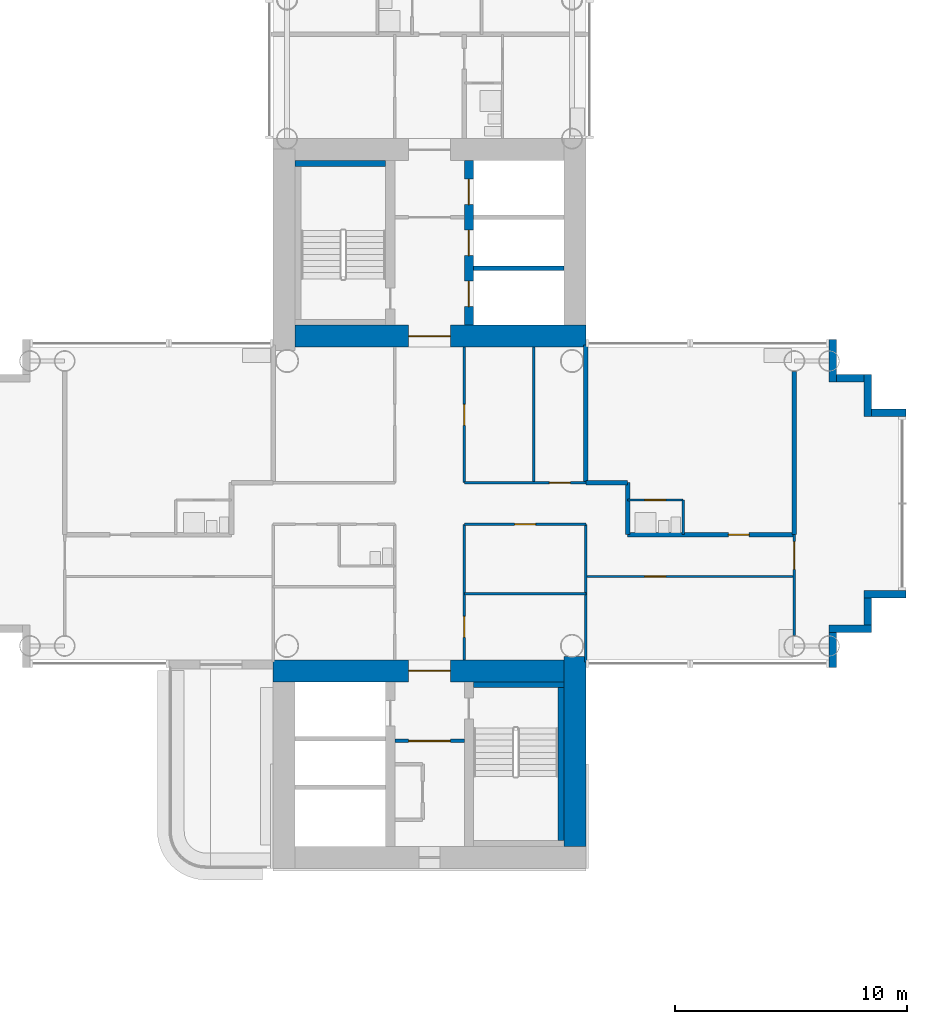
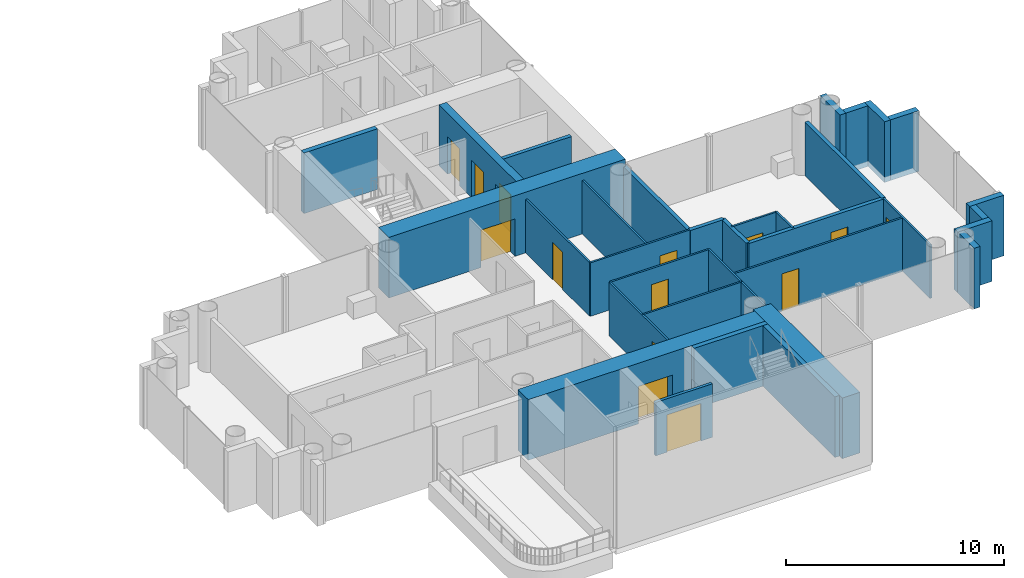
# One storey, part 13 of 21: 33 walls, 14 doors, 14 openings.
"""IFC4 building model written with IfcOpenShell, lengths in metres."""

from ifc_helpers import new_model, si_unit, direction, frame, frame_2d, origin, place, context, subcontext, project, spatial, rectangle, extrude, material, layer, layer_set, type_object, element, fill, save


model = new_model("IFC4")

# Units and contexts
model_context = context("Model", 3, precision=1e-05, world=origin(), true_north=direction((0.0, 1.0)))
body_context = subcontext(model_context, "Body", "Model", "MODEL_VIEW")
ifc_project = project(units=[si_unit("LENGTHUNIT", "METRE"), si_unit("AREAUNIT", "SQUARE_METRE"), si_unit("VOLUMEUNIT", "CUBIC_METRE"), si_unit("PLANEANGLEUNIT", "RADIAN"), si_unit("MASSUNIT", "GRAM", prefix="KILO")], contexts=[model_context])

# Site, building, storey
site_placement = place(None, origin())
site = spatial("IfcSite", under=ifc_project, at=site_placement, CompositionType="ELEMENT")
building_placement = place(site_placement, origin())
building = spatial("IfcBuilding", under=site, at=building_placement, Name="Ipe Terrace Towers", CompositionType="ELEMENT")
storey_placement = place(building_placement, frame((0.0, 0.0, 83.39990234375)))
storey = spatial("IfcBuildingStorey", under=building, at=storey_placement, Name="L22", CompositionType="ELEMENT", Elevation=83.39990234375)

# Walls
ifc_material_1 = material(Name="Concrete C40/50 with buff precast cladding", Category="concrete")
ifc_layer_1 = layer(ifc_material_1, 0.320068359375)
ifc_layer_set_1 = layer_set([ifc_layer_1], Name="BUFF CLADDING WALL 320")
wall_type_1 = type_object("IfcWallType", Name="BUFF CLADDING WALL 320", PredefinedType="STANDARD", material=ifc_layer_set_1)
wall_1_placement = place(storey_placement, frame((53.409912109375, -7.070068359375, -0.2998046875), z_axis=(0.0, 0.0, 1.0), x_axis=(0.0, 1.0, 0.0)))
element("IfcWall", 1, at=wall_1_placement, inside=storey, type_object=wall_type_1, Name="T2-W-L22-04a wall", PredefinedType="STANDARD", context=body_context, shape_type="SweptSolid", body=[
    extrude(rectangle(XDim=1.5, YDim=0.320068359375, at=frame_2d((0.75, 0.0))), origin(), (0.0, 0.0, 1.0), 3.39990234375),
])
wall_2_placement = place(storey_placement, frame((53.25, -5.409912109375, -0.2998046875), z_axis=(0.0, 0.0, 1.0), x_axis=(1.0, 0.0, 0.0)))
element("IfcWall", 2, at=wall_2_placement, inside=storey, type_object=wall_type_1, Name="T2-W-L22-05a wall", PredefinedType="STANDARD", context=body_context, shape_type="SweptSolid", body=[
    extrude(rectangle(XDim=1.820068359375, YDim=0.320068359375, at=frame_2d((0.91015625, 0.0))), origin(), (0.0, 0.0, 1.0), 3.39990234375),
])
wall_3_placement = place(storey_placement, frame((54.909912109375, -5.25, -0.2998046875), z_axis=(0.0, 0.0, 1.0), x_axis=(0.0, 1.0, 0.0)))
element("IfcWall", 3, at=wall_3_placement, inside=storey, type_object=wall_type_1, Name="T2-W-L22-06a wall", PredefinedType="STANDARD", context=body_context, shape_type="SweptSolid", body=[
    extrude(rectangle(XDim=1.179931640625, YDim=0.320068359375, at=frame_2d((0.58984375, 0.0))), origin(), (0.0, 0.0, 1.0), 3.39990234375),
])
wall_4_placement = place(storey_placement, frame((54.75, -3.909912109375, -0.2998046875), z_axis=(0.0, 0.0, 1.0), x_axis=(1.0, 0.0, 0.0)))
element("IfcWall", 4, at=wall_4_placement, inside=storey, type_object=wall_type_1, Name="T2-W-L22-07a wall", PredefinedType="STANDARD", context=body_context, shape_type="SweptSolid", body=[
    extrude(rectangle(XDim=1.820068359375, YDim=0.320068359375, at=frame_2d((0.91015625, 0.0))), origin(), (0.0, 0.0, 1.0), 3.39990234375),
])
wall_5_placement = place(storey_placement, frame((56.570068359375, 3.909912109375, -0.2998046875), z_axis=(0.0, 0.0, 1.0), x_axis=(-1.0, 0.0, 0.0)))
element("IfcWall", 5, at=wall_5_placement, inside=storey, type_object=wall_type_1, Name="T2-W-L22-09a wall", PredefinedType="STANDARD", context=body_context, shape_type="SweptSolid", body=[
    extrude(rectangle(XDim=1.5, YDim=0.320068359375, at=frame_2d((0.75, 0.0))), origin(), (0.0, 0.0, 1.0), 3.39990234375),
])
wall_6_placement = place(storey_placement, frame((54.909912109375, 3.75, -0.2998046875), z_axis=(0.0, 0.0, 1.0), x_axis=(0.0, 1.0, 0.0)))
element("IfcWall", 6, at=wall_6_placement, inside=storey, type_object=wall_type_1, Name="T2-W-L22-10a wall", PredefinedType="STANDARD", context=body_context, shape_type="SweptSolid", body=[
    extrude(rectangle(XDim=1.820068359375, YDim=0.320068359375, at=frame_2d((0.91015625, 0.0))), origin(), (0.0, 0.0, 1.0), 3.39990234375),
])
wall_7_placement = place(storey_placement, frame((54.75, 5.409912109375, -0.2998046875), z_axis=(0.0, 0.0, 1.0), x_axis=(-1.0, 0.0, 0.0)))
element("IfcWall", 7, at=wall_7_placement, inside=storey, type_object=wall_type_1, Name="T2-W-L22-11a wall", PredefinedType="STANDARD", context=body_context, shape_type="SweptSolid", body=[
    extrude(rectangle(XDim=1.179931640625, YDim=0.320068359375, at=frame_2d((0.58984375, 0.0))), origin(), (0.0, 0.0, 1.0), 3.39990234375),
])
wall_8_placement = place(storey_placement, frame((53.409912109375, 5.25, -0.2998046875), z_axis=(0.0, 0.0, 1.0), x_axis=(0.0, 1.0, 0.0)))
element("IfcWall", 8, at=wall_8_placement, inside=storey, type_object=wall_type_1, Name="T2-W-L22-12a wall", PredefinedType="STANDARD", context=body_context, shape_type="SweptSolid", body=[
    extrude(rectangle(XDim=1.820068359375, YDim=0.320068359375, at=frame_2d((0.91015625, 0.0))), origin(), (0.0, 0.0, 1.0), 3.39990234375),
])
ifc_material_2 = material(Name="Gypsum board partition", Category="plasterboard")
ifc_layer_2 = layer(ifc_material_2, 0.10009765625)
ifc_layer_set_2 = layer_set([ifc_layer_2], Name="Gypsum board partition 100 mm")
wall_type_2 = type_object("IfcWallType", Name="Gypsum board partition 100 mm", PredefinedType="PARTITIONING", material=ifc_layer_set_2)
wall_9_placement = place(storey_placement, frame((42.75, -3.89990234375, 0.0), z_axis=(0.0, 0.0, 1.0), x_axis=(-1.0, 0.0, 0.0)))
element("IfcWall", 9, at=wall_9_placement, inside=storey, type_object=wall_type_2, Name="Gypsum board partition T2 L22 W01", PredefinedType="PARTITIONING", context=body_context, shape_type="SweptSolid", body=[
    extrude(rectangle(XDim=5.25, YDim=0.10009765625, at=frame_2d((2.625, 0.0))), origin(), (0.0, 0.0, 1.0), 3.0),
])

# Wall, opening, door
wall_10_placement = place(storey_placement, frame((51.75, -3.14990234375, 0.0), z_axis=(0.0, 0.0, 1.0), x_axis=(-1.0, 0.0, 0.0)))
wall_10 = element("IfcWall", 10, at=wall_10_placement, inside=storey, type_object=wall_type_2, Name="Gypsum board partition T2 L22 W03", PredefinedType="PARTITIONING", context=body_context, shape_type="SweptSolid", body=[
    extrude(rectangle(XDim=9.0, YDim=0.10009765625, at=frame_2d((4.5, 0.0))), origin(), (0.0, 0.0, 1.0), 3.0),
])
opening_1_placement = place(wall_10_placement, frame((5.550048828125, 0.0, 0.0)))
opening_1 = element("IfcOpeningElement", 11, at=opening_1_placement, cuts=wall_10, Name="Opening T2-Z2B-15", PredefinedType="OPENING", context=body_context, shape_type="SweptSolid", body=[
    extrude(rectangle(XDim=0.89990234375, YDim=2.10009765625, at=frame_2d((0.449951171875, 1.050048828125))), frame((0.0, 0.06005859375, 0.0), z_axis=(0.0, -1.0, 0.0), x_axis=(1.0, 0.0, 0.0)), (0.0, 0.0, 1.0), 0.1201171875),
])
ifc_material_3 = material(Name="Timber door leaf", Category="wood")
door_type_1 = type_object("IfcDoorType", Name="Lounge door 900 x 2100", OperationType="NOTDEFINED", PredefinedType="DOOR", material=ifc_material_3)
door_1_placement = place(opening_1_placement, origin())
door_1 = element("IfcDoor", 12, at=door_1_placement, inside=storey, type_object=door_type_1, Name="Lounge door T2-Z2B-15", OperationType="SINGLE_SWING_LEFT", OverallHeight=2.10009765625, OverallWidth=0.89990234375, PredefinedType="DOOR", context=body_context, shape_type="SweptSolid", body=[
    extrude(rectangle(XDim=0.89990234375, YDim=2.10009765625, at=frame_2d((0.449951171875, 1.050048828125))), frame((0.0, 0.02490234375, 0.0), z_axis=(0.0, -1.0, 0.0), x_axis=(1.0, 0.0, 0.0)), (0.0, 0.0, 1.0), 0.050048828125),
])
fill(opening_1, door_1)

wall_11_placement = place(storey_placement, frame((42.75, -0.89990234375, 0.0), z_axis=(0.0, 0.0, 1.0), x_axis=(-1.0, 0.0, 0.0)))
wall_11 = element("IfcWall", 13, at=wall_11_placement, inside=storey, type_object=wall_type_2, Name="Gypsum board partition T2 L22 W08", PredefinedType="PARTITIONING", context=body_context, shape_type="SweptSolid", body=[
    extrude(rectangle(XDim=5.25, YDim=0.10009765625, at=frame_2d((2.625, 0.0))), origin(), (0.0, 0.0, 1.0), 3.0),
])
opening_2_placement = place(wall_11_placement, frame((2.175048828125, 0.0, 0.0)))
opening_2 = element("IfcOpeningElement", 14, at=opening_2_placement, cuts=wall_11, Name="Opening T2-Z2B-05", PredefinedType="OPENING", context=body_context, shape_type="SweptSolid", body=[
    extrude(rectangle(XDim=0.89990234375, YDim=2.10009765625, at=frame_2d((0.449951171875, 1.050048828125))), frame((0.0, 0.06005859375, 0.0), z_axis=(0.0, -1.0, 0.0), x_axis=(1.0, 0.0, 0.0)), (0.0, 0.0, 1.0), 0.1201171875),
])
door_2_placement = place(opening_2_placement, origin())
door_2 = element("IfcDoor", 15, at=door_2_placement, inside=storey, type_object=door_type_1, Name="Lounge door T2-Z2B-05", OperationType="SINGLE_SWING_LEFT", OverallHeight=2.10009765625, OverallWidth=0.89990234375, PredefinedType="DOOR", context=body_context, shape_type="SweptSolid", body=[
    extrude(rectangle(XDim=0.89990234375, YDim=2.10009765625, at=frame_2d((0.449951171875, 1.050048828125))), frame((0.0, 0.02490234375, 0.0), z_axis=(0.0, -1.0, 0.0), x_axis=(1.0, 0.0, 0.0)), (0.0, 0.0, 1.0), 0.050048828125),
])
fill(opening_2, door_2)

wall_12_placement = place(storey_placement, frame((46.949951171875, 0.14990234375, 0.0), z_axis=(0.0, 0.0, 1.0), x_axis=(-1.0, 0.0, 0.0)))
wall_12 = element("IfcWall", 16, at=wall_12_placement, inside=storey, type_object=wall_type_2, Name="Gypsum board partition T2 L22 W10", PredefinedType="PARTITIONING", context=body_context, shape_type="SweptSolid", body=[
    extrude(rectangle(XDim=2.39990234375, YDim=0.10009765625, at=frame_2d((1.199951171875, 0.0))), origin(), (0.0, 0.0, 1.0), 3.0),
])
opening_3_placement = place(wall_12_placement, frame((0.75, 0.0, 0.0)))
opening_3 = element("IfcOpeningElement", 17, at=opening_3_placement, cuts=wall_12, Name="Opening T2-Z2B-14", PredefinedType="OPENING", context=body_context, shape_type="SweptSolid", body=[
    extrude(rectangle(XDim=0.89990234375, YDim=2.10009765625, at=frame_2d((0.449951171875, 1.050048828125))), frame((0.0, 0.06005859375, 0.0), z_axis=(0.0, -1.0, 0.0), x_axis=(1.0, 0.0, 0.0)), (0.0, 0.0, 1.0), 0.1201171875),
])
ifc_material_4 = material(Name="Timber door leaf", Category="wood")
door_type_2 = type_object("IfcDoorType", Name="Bathroom door 900 x 2100", OperationType="NOTDEFINED", PredefinedType="DOOR", material=ifc_material_4)
door_3_placement = place(opening_3_placement, origin())
door_3 = element("IfcDoor", 18, at=door_3_placement, inside=storey, type_object=door_type_2, Name="Bathroom door T2-Z2B-14", OperationType="SINGLE_SWING_LEFT", OverallHeight=2.10009765625, OverallWidth=0.89990234375, PredefinedType="DOOR", context=body_context, shape_type="SweptSolid", body=[
    extrude(rectangle(XDim=0.89990234375, YDim=2.10009765625, at=frame_2d((0.449951171875, 1.050048828125))), frame((0.0, 0.02490234375, 0.0), z_axis=(0.0, -1.0, 0.0), x_axis=(1.0, 0.0, 0.0)), (0.0, 0.0, 1.0), 0.050048828125),
])
fill(opening_3, door_3)

wall_13_placement = place(storey_placement, frame((42.75, 0.89990234375, 0.0), z_axis=(0.0, 0.0, 1.0), x_axis=(-1.0, 0.0, 0.0)))
wall_13 = element("IfcWall", 19, at=wall_13_placement, inside=storey, type_object=wall_type_2, Name="Gypsum board partition T2 L22 W12", PredefinedType="PARTITIONING", context=body_context, shape_type="SweptSolid", body=[
    extrude(rectangle(XDim=5.25, YDim=0.10009765625, at=frame_2d((2.625, 0.0))), origin(), (0.0, 0.0, 1.0), 3.0),
])
opening_4_placement = place(wall_13_placement, frame((0.675048828125, 0.0, 0.0)))
opening_4 = element("IfcOpeningElement", 20, at=opening_4_placement, cuts=wall_13, Name="Opening T2-Z2B-08", PredefinedType="OPENING", context=body_context, shape_type="SweptSolid", body=[
    extrude(rectangle(XDim=0.89990234375, YDim=2.10009765625, at=frame_2d((0.449951171875, 1.050048828125))), frame((0.0, 0.06005859375, 0.0), z_axis=(0.0, -1.0, 0.0), x_axis=(1.0, 0.0, 0.0)), (0.0, 0.0, 1.0), 0.1201171875),
])
door_4_placement = place(opening_4_placement, origin())
door_4 = element("IfcDoor", 21, at=door_4_placement, inside=storey, type_object=door_type_1, Name="Lounge door T2-Z2B-08", OperationType="SINGLE_SWING_LEFT", OverallHeight=2.10009765625, OverallWidth=0.89990234375, PredefinedType="DOOR", context=body_context, shape_type="SweptSolid", body=[
    extrude(rectangle(XDim=0.89990234375, YDim=2.10009765625, at=frame_2d((0.449951171875, 1.050048828125))), frame((0.0, 0.02490234375, 0.0), z_axis=(0.0, -1.0, 0.0), x_axis=(1.0, 0.0, 0.0)), (0.0, 0.0, 1.0), 0.050048828125),
])
fill(opening_4, door_4)

wall_14_placement = place(storey_placement, frame((51.75, -5.699951171875, 0.0), z_axis=(0.0, 0.0, 1.0), x_axis=(0.0, 1.0, 0.0)))
wall_14 = element("IfcWall", 22, at=wall_14_placement, inside=storey, type_object=wall_type_2, Name="Gypsum board partition T2 L22 W19", PredefinedType="PARTITIONING", context=body_context, shape_type="SweptSolid", body=[
    extrude(rectangle(XDim=4.349853515625, YDim=0.10009765625, at=frame_2d((2.1748046875, 0.0))), origin(), (0.0, 0.0, 1.0), 3.0),
])
opening_5_placement = place(wall_14_placement, frame((2.85009765625, 0.0, 0.0)))
opening_5 = element("IfcOpeningElement", 23, at=opening_5_placement, cuts=wall_14, Name="Opening T2-Z2B-16", PredefinedType="OPENING", context=body_context, shape_type="SweptSolid", body=[
    extrude(rectangle(XDim=1.199951171875, YDim=2.10009765625, at=frame_2d((0.60009765625, 1.050048828125))), frame((0.0, 0.06005859375, 0.0), z_axis=(0.0, -1.0, 0.0), x_axis=(1.0, 0.0, 0.0)), (0.0, 0.0, 1.0), 0.1201171875),
])
ifc_material_5 = material(Name="Timber door leaf", Category="wood")
door_type_3 = type_object("IfcDoorType", Name="Lounge door 1200 x 2100", OperationType="NOTDEFINED", PredefinedType="DOOR", material=ifc_material_5)
door_5_placement = place(opening_5_placement, origin())
door_5 = element("IfcDoor", 24, at=door_5_placement, inside=storey, type_object=door_type_3, Name="Lounge door T2-Z2B-16", OperationType="SINGLE_SWING_RIGHT", OverallHeight=2.10009765625, OverallWidth=1.199951171875, PredefinedType="DOOR", context=body_context, shape_type="SweptSolid", body=[
    extrude(rectangle(XDim=1.199951171875, YDim=2.10009765625, at=frame_2d((0.60009765625, 1.050048828125))), frame((0.0, 0.02490234375, 0.0), z_axis=(0.0, -1.0, 0.0), x_axis=(1.0, 0.0, 0.0)), (0.0, 0.0, 1.0), 0.050048828125),
])
fill(opening_5, door_5)

# Walls
wall_15_placement = place(storey_placement, frame((46.949951171875, -1.35009765625, 0.0), z_axis=(0.0, 0.0, 1.0), x_axis=(0.0, 1.0, 0.0)))
element("IfcWall", 25, at=wall_15_placement, inside=storey, type_object=wall_type_2, Name="Gypsum board partition T2 L22 W21", PredefinedType="PARTITIONING", context=body_context, shape_type="SweptSolid", body=[
    extrude(rectangle(XDim=1.5, YDim=0.10009765625, at=frame_2d((0.75, 0.0))), origin(), (0.0, 0.0, 1.0), 3.0),
])
wall_16_placement = place(storey_placement, frame((42.75, -6.85009765625, 0.0), z_axis=(0.0, 0.0, 1.0), x_axis=(0.0, 1.0, 0.0)))
element("IfcWall", 26, at=wall_16_placement, inside=storey, type_object=wall_type_2, Name="Gypsum board partition T2 L22 W23", PredefinedType="PARTITIONING", context=body_context, shape_type="SweptSolid", body=[
    extrude(rectangle(XDim=5.9501953125, YDim=0.10009765625, at=frame_2d((2.97509765625, 0.0))), origin(), (0.0, 0.0, 1.0), 3.0),
])
wall_17_placement = place(storey_placement, frame((40.5, 0.89990234375, 0.0), z_axis=(0.0, 0.0, 1.0), x_axis=(0.0, 1.0, 0.0)))
element("IfcWall", 27, at=wall_17_placement, inside=storey, type_object=wall_type_2, Name="Gypsum board partition T2 L22 W25", PredefinedType="PARTITIONING", context=body_context, shape_type="SweptSolid", body=[
    extrude(rectangle(XDim=5.85009765625, YDim=0.10009765625, at=frame_2d((2.925048828125, 0.0))), origin(), (0.0, 0.0, 1.0), 3.0),
])

# Wall, opening, door
wall_18_placement = place(storey_placement, frame((37.5, -6.75, 0.0), z_axis=(0.0, 0.0, 1.0), x_axis=(0.0, 1.0, 0.0)))
wall_18 = element("IfcWall", 28, at=wall_18_placement, inside=storey, type_object=wall_type_2, Name="Gypsum board partition T2 L22 W28", PredefinedType="PARTITIONING", context=body_context, shape_type="SweptSolid", body=[
    extrude(rectangle(XDim=5.85009765625, YDim=0.10009765625, at=frame_2d((2.925048828125, 0.0))), origin(), (0.0, 0.0, 1.0), 3.0),
])
opening_6_placement = place(wall_18_placement, frame((0.97509765625, 0.0, 0.0)))
opening_6 = element("IfcOpeningElement", 29, at=opening_6_placement, cuts=wall_18, Name="Opening T2-Z2B-06", PredefinedType="OPENING", context=body_context, shape_type="SweptSolid", body=[
    extrude(rectangle(XDim=0.89990234375, YDim=2.10009765625, at=frame_2d((0.449951171875, 1.050048828125))), frame((0.0, 0.06005859375, 0.0), z_axis=(0.0, -1.0, 0.0), x_axis=(1.0, 0.0, 0.0)), (0.0, 0.0, 1.0), 0.1201171875),
])
door_6_placement = place(opening_6_placement, origin())
door_6 = element("IfcDoor", 30, at=door_6_placement, inside=storey, type_object=door_type_1, Name="Lounge door T2-Z2B-06", OperationType="SINGLE_SWING_LEFT", OverallHeight=2.10009765625, OverallWidth=0.89990234375, PredefinedType="DOOR", context=body_context, shape_type="SweptSolid", body=[
    extrude(rectangle(XDim=0.89990234375, YDim=2.10009765625, at=frame_2d((0.449951171875, 1.050048828125))), frame((0.0, 0.02490234375, 0.0), z_axis=(0.0, -1.0, 0.0), x_axis=(1.0, 0.0, 0.0)), (0.0, 0.0, 1.0), 0.050048828125),
])
fill(opening_6, door_6)

wall_19_placement = place(storey_placement, frame((37.5, 0.89990234375, 0.0), z_axis=(0.0, 0.0, 1.0), x_axis=(0.0, 1.0, 0.0)))
wall_19 = element("IfcWall", 31, at=wall_19_placement, inside=storey, type_object=wall_type_2, Name="Gypsum board partition T2 L22 W29", PredefinedType="PARTITIONING", context=body_context, shape_type="SweptSolid", body=[
    extrude(rectangle(XDim=5.85009765625, YDim=0.10009765625, at=frame_2d((2.925048828125, 0.0))), origin(), (0.0, 0.0, 1.0), 3.0),
])
opening_7_placement = place(wall_19_placement, frame((2.47509765625, 0.0, 0.0)))
opening_7 = element("IfcOpeningElement", 32, at=opening_7_placement, cuts=wall_19, Name="Opening T2-Z2B-07", PredefinedType="OPENING", context=body_context, shape_type="SweptSolid", body=[
    extrude(rectangle(XDim=0.89990234375, YDim=2.10009765625, at=frame_2d((0.449951171875, 1.050048828125))), frame((0.0, 0.06005859375, 0.0), z_axis=(0.0, -1.0, 0.0), x_axis=(1.0, 0.0, 0.0)), (0.0, 0.0, 1.0), 0.1201171875),
])
door_7_placement = place(opening_7_placement, origin())
door_7 = element("IfcDoor", 33, at=door_7_placement, inside=storey, type_object=door_type_1, Name="Lounge door T2-Z2B-07", OperationType="SINGLE_SWING_RIGHT", OverallHeight=2.10009765625, OverallWidth=0.89990234375, PredefinedType="DOOR", context=body_context, shape_type="SweptSolid", body=[
    extrude(rectangle(XDim=0.89990234375, YDim=2.10009765625, at=frame_2d((0.449951171875, 1.050048828125))), frame((0.0, 0.02490234375, 0.0), z_axis=(0.0, -1.0, 0.0), x_axis=(1.0, 0.0, 0.0)), (0.0, 0.0, 1.0), 0.050048828125),
])
fill(opening_7, door_7)

ifc_material_6 = material(Name="Gypsum board partition", Category="plasterboard")
ifc_layer_3 = layer(ifc_material_6, 0.14990234375)
ifc_layer_set_3 = layer_set([ifc_layer_3], Name="Gypsum board partition 150 mm")
wall_type_3 = type_object("IfcWallType", Name="Gypsum board partition 150 mm", PredefinedType="PARTITIONING", material=ifc_layer_set_3)
wall_20_placement = place(storey_placement, frame((34.5, -10.25, 0.0), z_axis=(0.0, 0.0, 1.0), x_axis=(1.0, 0.0, 0.0)))
wall_20 = element("IfcWall", 34, at=wall_20_placement, inside=storey, type_object=wall_type_3, Name="Gypsum board partition T2 L22 t2c2-lobby-wall", PredefinedType="PARTITIONING", context=body_context, shape_type="SweptSolid", body=[
    extrude(rectangle(XDim=3.0, YDim=0.14990234375, at=frame_2d((1.5, 0.0))), origin(), (0.0, 0.0, 1.0), 3.0),
])
opening_8_placement = place(wall_20_placement, frame((0.60009765625, 0.0, 0.0)))
opening_8 = element("IfcOpeningElement", 35, at=opening_8_placement, cuts=wall_20, Name="Opening T2C2-VD", PredefinedType="OPENING", context=body_context, shape_type="SweptSolid", body=[
    extrude(rectangle(XDim=1.800048828125, YDim=2.10009765625, at=frame_2d((0.89990234375, 1.050048828125))), frame((0.0, 0.0849609375, 0.0), z_axis=(0.0, -1.0, 0.0), x_axis=(1.0, 0.0, 0.0)), (0.0, 0.0, 1.0), 0.169921875),
])
ifc_material_7 = material(Name="Fire-rated timber door leaf", Category="wood")
door_type_4 = type_object("IfcDoorType", Name="Lobby door 1800 x 2100 FD60", OperationType="NOTDEFINED", PredefinedType="DOOR", material=ifc_material_7)
door_8_placement = place(opening_8_placement, origin())
door_8 = element("IfcDoor", 36, at=door_8_placement, inside=storey, type_object=door_type_4, Name="Lobby door T2C2-VD", OperationType="SINGLE_SWING_LEFT", OverallHeight=2.10009765625, OverallWidth=1.800048828125, PredefinedType="DOOR", context=body_context, shape_type="SweptSolid", body=[
    extrude(rectangle(XDim=1.800048828125, YDim=2.10009765625, at=frame_2d((0.89990234375, 1.050048828125))), frame((0.0, 0.02490234375, 0.0), z_axis=(0.0, -1.0, 0.0), x_axis=(1.0, 0.0, 0.0)), (0.0, 0.0, 1.0), 0.050048828125),
])
fill(opening_8, door_8)

# Wall
ifc_material_8 = material(Name="Gypsum board party wall", Category="plasterboard")
ifc_layer_4 = layer(ifc_material_8, 0.199951171875)
ifc_layer_set_4 = layer_set([ifc_layer_4], Name="Gypsum board party wall 200 mm")
wall_type_4 = type_object("IfcWallType", Name="Gypsum board party wall 200 mm", PredefinedType="SOLIDWALL", material=ifc_layer_set_4)
wall_21_placement = place(storey_placement, frame((41.800048828125, 10.14990234375, 0.0), z_axis=(0.0, 0.0, 1.0), x_axis=(-1.0, 0.0, 0.0)))
element("IfcWall", 37, at=wall_21_placement, inside=storey, type_object=wall_type_4, Name="Gypsum board party wall T2 L22 t2c1-shaft-div1", PredefinedType="SOLIDWALL", context=body_context, shape_type="SweptSolid", body=[
    extrude(rectangle(XDim=3.900146484375, YDim=0.199951171875, at=frame_2d((1.9501953125, 0.0))), origin(), (0.0, 0.0, 1.0), 3.0),
])

# Wall, opening, door
wall_22_placement = place(storey_placement, frame((51.75, -1.35009765625, 0.0), z_axis=(0.0, 0.0, 1.0), x_axis=(-1.0, 0.0, 0.0)))
wall_22 = element("IfcWall", 38, at=wall_22_placement, inside=storey, type_object=wall_type_4, Name="Gypsum board party wall T2 L22 W06", PredefinedType="SOLIDWALL", context=body_context, shape_type="SweptSolid", body=[
    extrude(rectangle(XDim=7.199951171875, YDim=0.199951171875, at=frame_2d((3.60009765625, 0.0))), origin(), (0.0, 0.0, 1.0), 3.0),
])
opening_9_placement = place(wall_22_placement, frame((1.949951171875, 0.0, 0.0)))
opening_9 = element("IfcOpeningElement", 39, at=opening_9_placement, cuts=wall_22, Name="Opening T2-Z2B-13", PredefinedType="OPENING", context=body_context, shape_type="SweptSolid", body=[
    extrude(rectangle(XDim=0.89990234375, YDim=2.10009765625, at=frame_2d((0.449951171875, 1.050048828125))), frame((0.0, 0.10986328125, 0.0), z_axis=(0.0, -1.0, 0.0), x_axis=(1.0, 0.0, 0.0)), (0.0, 0.0, 1.0), 0.219970703125),
])
ifc_material_9 = material(Name="Fire-rated timber door leaf", Category="wood")
door_type_5 = type_object("IfcDoorType", Name="Flat entrance door 900 x 2100 FD30S", OperationType="NOTDEFINED", PredefinedType="DOOR", material=ifc_material_9)
door_9_placement = place(opening_9_placement, origin())
door_9 = element("IfcDoor", 40, at=door_9_placement, inside=storey, type_object=door_type_5, Name="Flat entrance door T2-Z2B-13", OperationType="SINGLE_SWING_LEFT", OverallHeight=2.10009765625, OverallWidth=0.89990234375, PredefinedType="DOOR", context=body_context, shape_type="SweptSolid", body=[
    extrude(rectangle(XDim=0.89990234375, YDim=2.10009765625, at=frame_2d((0.449951171875, 1.050048828125))), frame((0.0, 0.02490234375, 0.0), z_axis=(0.0, -1.0, 0.0), x_axis=(1.0, 0.0, 0.0)), (0.0, 0.0, 1.0), 0.050048828125),
])
fill(opening_9, door_9)

# Walls
wall_23_placement = place(storey_placement, frame((44.550048828125, 0.89990234375, 0.0), z_axis=(0.0, 0.0, 1.0), x_axis=(-1.0, 0.0, 0.0)))
element("IfcWall", 41, at=wall_23_placement, inside=storey, type_object=wall_type_4, Name="Gypsum board party wall T2 L22 W14", PredefinedType="SOLIDWALL", context=body_context, shape_type="SweptSolid", body=[
    extrude(rectangle(XDim=1.800048828125, YDim=0.199951171875, at=frame_2d((0.89990234375, 0.0))), origin(), (0.0, 0.0, 1.0), 3.0),
])
wall_24_placement = place(storey_placement, frame((51.75, -1.35009765625, 0.0), z_axis=(0.0, 0.0, 1.0), x_axis=(0.0, 1.0, 0.0)))
element("IfcWall", 42, at=wall_24_placement, inside=storey, type_object=wall_type_4, Name="Gypsum board party wall T2 L22 W20", PredefinedType="SOLIDWALL", context=body_context, shape_type="SweptSolid", body=[
    extrude(rectangle(XDim=7.050048828125, YDim=0.199951171875, at=frame_2d((3.52490234375, 0.0))), origin(), (0.0, 0.0, 1.0), 3.0),
])
wall_25_placement = place(storey_placement, frame((44.550048828125, -1.35009765625, 0.0), z_axis=(0.0, 0.0, 1.0), x_axis=(0.0, 1.0, 0.0)))
element("IfcWall", 43, at=wall_25_placement, inside=storey, type_object=wall_type_4, Name="Gypsum board party wall T2 L22 W22", PredefinedType="SOLIDWALL", context=body_context, shape_type="SweptSolid", body=[
    extrude(rectangle(XDim=2.25, YDim=0.199951171875, at=frame_2d((1.125, 0.0))), origin(), (0.0, 0.0, 1.0), 3.0),
])
wall_26_placement = place(storey_placement, frame((42.75, 0.89990234375, 0.0), z_axis=(0.0, 0.0, 1.0), x_axis=(0.0, 1.0, 0.0)))
element("IfcWall", 44, at=wall_26_placement, inside=storey, type_object=wall_type_4, Name="Gypsum board party wall T2 L22 W24", PredefinedType="SOLIDWALL", context=body_context, shape_type="SweptSolid", body=[
    extrude(rectangle(XDim=5.9501953125, YDim=0.199951171875, at=frame_2d((2.97509765625, 0.0))), origin(), (0.0, 0.0, 1.0), 3.0),
])
ifc_material_10 = material(Name="Concrete C50/60", Category="concrete")
ifc_layer_5 = layer(ifc_material_10, 0.25)
ifc_layer_set_5 = layer_set([ifc_layer_5], Name="RW250 CORE INFILL WALL 250 C50-60")
wall_type_5 = type_object("IfcWallType", Name="RW250 CORE INFILL WALL 250 C50-60", PredefinedType="SHEAR", material=ifc_layer_set_5)
wall_27_placement = place(storey_placement, frame((34.10009765625, 14.675048828125, 0.0), z_axis=(0.0, 0.0, 1.0), x_axis=(-1.0, 0.0, 0.0)))
element("IfcWall", 45, at=wall_27_placement, inside=storey, type_object=wall_type_5, Name="Core infill wall T2-C1-far", PredefinedType="SHEAR", context=body_context, shape_type="SweptSolid", body=[
    extrude(rectangle(XDim=3.900146484375, YDim=0.25, at=frame_2d((1.9501953125, 0.0))), origin(), (0.0, 0.0, 1.0), 3.400146484375),
])
wall_28_placement = place(storey_placement, frame((41.675048828125, -7.949951171875, 0.0), z_axis=(0.0, 0.0, 1.0), x_axis=(0.0, -1.0, 0.0)))
element("IfcWall", 46, at=wall_28_placement, inside=storey, type_object=wall_type_5, Name="Core infill wall T2-C2-back", PredefinedType="SHEAR", context=body_context, shape_type="SweptSolid", body=[
    extrude(rectangle(XDim=6.60009765625, YDim=0.25, at=frame_2d((3.300048828125, 0.0))), origin(), (0.0, 0.0, 1.0), 3.400146484375),
])
wall_29_placement = place(storey_placement, frame((37.89990234375, -7.824951171875, 0.0), z_axis=(0.0, 0.0, 1.0), x_axis=(1.0, 0.0, 0.0)))
element("IfcWall", 47, at=wall_29_placement, inside=storey, type_object=wall_type_5, Name="Core infill wall T2-C2-near", PredefinedType="SHEAR", context=body_context, shape_type="SweptSolid", body=[
    extrude(rectangle(XDim=3.900146484375, YDim=0.25, at=frame_2d((1.9501953125, 0.0))), origin(), (0.0, 0.0, 1.0), 3.400146484375),
])

# Wall, openings, doors
ifc_material_11 = material(Name="Concrete C50/60", Category="concrete")
ifc_layer_6 = layer(ifc_material_11, 0.39990234375)
ifc_layer_set_6 = layer_set([ifc_layer_6], Name="RW400 CORE SPINE WALL 400 C50-60")
wall_type_6 = type_object("IfcWallType", Name="RW400 CORE SPINE WALL 400 C50-60", PredefinedType="SHEAR", material=ifc_layer_set_6)
wall_30_placement = place(storey_placement, frame((37.699951171875, 7.699951171875, 0.0), z_axis=(0.0, 0.0, 1.0), x_axis=(0.0, 1.0, 0.0)))
wall_30 = element("IfcWall", 48, at=wall_30_placement, inside=storey, type_object=wall_type_6, Name="Core spine wall T2-C1-Z2-SW2", PredefinedType="SHEAR", context=body_context, shape_type="SweptSolid", body=[
    extrude(rectangle(XDim=7.10009765625, YDim=0.39990234375, at=frame_2d((3.550048828125, 0.0))), origin(), (0.0, 0.0, 1.0), 3.400146484375),
])
opening_10_placement = place(wall_30_placement, frame((0.800048828125, 0.0, 0.0)))
opening_10 = element("IfcOpeningElement", 49, at=opening_10_placement, cuts=wall_30, Name="Opening T2C1-LD1", PredefinedType="OPENING", context=body_context, shape_type="SweptSolid", body=[
    extrude(rectangle(XDim=1.10009765625, YDim=2.10009765625, at=frame_2d((0.550048828125, 1.050048828125))), frame((0.0, 0.2099609375, 0.0), z_axis=(0.0, -1.0, 0.0), x_axis=(1.0, 0.0, 0.0)), (0.0, 0.0, 1.0), 0.419921875),
])
opening_11_placement = place(wall_30_placement, frame((3.0, 0.0, 0.0)))
opening_11 = element("IfcOpeningElement", 50, at=opening_11_placement, cuts=wall_30, Name="Opening T2C1-LD2", PredefinedType="OPENING", context=body_context, shape_type="SweptSolid", body=[
    extrude(rectangle(XDim=1.10009765625, YDim=2.10009765625, at=frame_2d((0.550048828125, 1.050048828125))), frame((0.0, 0.2099609375, 0.0), z_axis=(0.0, -1.0, 0.0), x_axis=(1.0, 0.0, 0.0)), (0.0, 0.0, 1.0), 0.419921875),
])
opening_12_placement = place(wall_30_placement, frame((5.199951171875, 0.0, 0.0)))
opening_12 = element("IfcOpeningElement", 51, at=opening_12_placement, cuts=wall_30, Name="Opening T2C1-LD3", PredefinedType="OPENING", context=body_context, shape_type="SweptSolid", body=[
    extrude(rectangle(XDim=1.10009765625, YDim=2.10009765625, at=frame_2d((0.550048828125, 1.050048828125))), frame((0.0, 0.2099609375, 0.0), z_axis=(0.0, -1.0, 0.0), x_axis=(1.0, 0.0, 0.0)), (0.0, 0.0, 1.0), 0.419921875),
])
ifc_material_12 = material(Name="Fire-rated timber door leaf", Category="wood")
door_type_6 = type_object("IfcDoorType", Name="Sliding door 1100 x 2100 FD60", OperationType="SLIDING_TO_LEFT", PredefinedType="DOOR", material=ifc_material_12)
door_10_placement = place(opening_10_placement, origin())
door_10 = element("IfcDoor", 52, at=door_10_placement, inside=storey, type_object=door_type_6, Name="Sliding door T2C1-LD1", OperationType="SLIDING_TO_LEFT", OverallHeight=2.10009765625, OverallWidth=1.10009765625, PredefinedType="DOOR", context=body_context, shape_type="SweptSolid", body=[
    extrude(rectangle(XDim=1.10009765625, YDim=2.10009765625, at=frame_2d((0.550048828125, 1.050048828125))), frame((0.0, 0.02490234375, 0.0), z_axis=(0.0, -1.0, 0.0), x_axis=(1.0, 0.0, 0.0)), (0.0, 0.0, 1.0), 0.050048828125),
])
fill(opening_10, door_10)
door_11_placement = place(opening_11_placement, origin())
door_11 = element("IfcDoor", 53, at=door_11_placement, inside=storey, type_object=door_type_6, Name="Sliding door T2C1-LD2", OperationType="SLIDING_TO_LEFT", OverallHeight=2.10009765625, OverallWidth=1.10009765625, PredefinedType="DOOR", context=body_context, shape_type="SweptSolid", body=[
    extrude(rectangle(XDim=1.10009765625, YDim=2.10009765625, at=frame_2d((0.550048828125, 1.050048828125))), frame((0.0, 0.02490234375, 0.0), z_axis=(0.0, -1.0, 0.0), x_axis=(1.0, 0.0, 0.0)), (0.0, 0.0, 1.0), 0.050048828125),
])
fill(opening_11, door_11)
door_12_placement = place(opening_12_placement, origin())
door_12 = element("IfcDoor", 54, at=door_12_placement, inside=storey, type_object=door_type_6, Name="Sliding door T2C1-LD3", OperationType="SLIDING_TO_LEFT", OverallHeight=2.10009765625, OverallWidth=1.10009765625, PredefinedType="DOOR", context=body_context, shape_type="SweptSolid", body=[
    extrude(rectangle(XDim=1.10009765625, YDim=2.10009765625, at=frame_2d((0.550048828125, 1.050048828125))), frame((0.0, 0.02490234375, 0.0), z_axis=(0.0, -1.0, 0.0), x_axis=(1.0, 0.0, 0.0)), (0.0, 0.0, 1.0), 0.050048828125),
])
fill(opening_12, door_12)

# Wall, opening, door
ifc_material_13 = material(Name="Concrete C50/60", Category="concrete")
ifc_layer_7 = layer(ifc_material_13, 0.949951171875)
ifc_layer_set_7 = layer_set([ifc_layer_7], Name="RW950 CORE WALL 950 C50-60")
wall_type_7 = type_object("IfcWallType", Name="RW950 CORE WALL 950 C50-60", PredefinedType="SHEAR", material=ifc_layer_set_7)
wall_31_placement = place(storey_placement, frame((30.199951171875, 7.22509765625, 0.0), z_axis=(0.0, 0.0, 1.0), x_axis=(1.0, 0.0, 0.0)))
wall_31 = element("IfcWall", 55, at=wall_31_placement, inside=storey, type_object=wall_type_7, Name="Core wall T2-C1-Z2-W01", PredefinedType="SHEAR", context=body_context, shape_type="SweptSolid", body=[
    extrude(rectangle(XDim=12.550048828125, YDim=0.949951171875, at=frame_2d((6.27490234375, 0.0))), origin(), (0.0, 0.0, 1.0), 3.400146484375),
])
opening_13_placement = place(wall_31_placement, frame((4.89990234375, 0.0, 0.0)))
opening_13 = element("IfcOpeningElement", 56, at=opening_13_placement, cuts=wall_31, Name="Opening T2C1-ND", PredefinedType="OPENING", context=body_context, shape_type="SweptSolid", body=[
    extrude(rectangle(XDim=1.800048828125, YDim=2.10009765625, at=frame_2d((0.89990234375, 1.050048828125))), frame((0.0, 0.48486328125, 0.0), z_axis=(0.0, -1.0, 0.0), x_axis=(1.0, 0.0, 0.0)), (0.0, 0.0, 1.0), 0.969970703125),
])
ifc_material_14 = material(Name="Fire-rated timber door leaf", Category="wood")
door_type_7 = type_object("IfcDoorType", Name="Fire door 1800 x 2100 FD30S", OperationType="NOTDEFINED", PredefinedType="DOOR", material=ifc_material_14)
door_13_placement = place(opening_13_placement, origin())
door_13 = element("IfcDoor", 57, at=door_13_placement, inside=storey, type_object=door_type_7, Name="Fire door T2C1-ND", OperationType="SINGLE_SWING_LEFT", OverallHeight=2.10009765625, OverallWidth=1.800048828125, PredefinedType="DOOR", context=body_context, shape_type="SweptSolid", body=[
    extrude(rectangle(XDim=1.800048828125, YDim=2.10009765625, at=frame_2d((0.89990234375, 1.050048828125))), frame((0.0, 0.02490234375, 0.0), z_axis=(0.0, -1.0, 0.0), x_axis=(1.0, 0.0, 0.0)), (0.0, 0.0, 1.0), 0.050048828125),
])
fill(opening_13, door_13)

# Wall
wall_32_placement = place(storey_placement, frame((42.27490234375, -14.800048828125, 0.0), z_axis=(0.0, 0.0, 1.0), x_axis=(0.0, 1.0, 0.0)))
element("IfcWall", 58, at=wall_32_placement, inside=storey, type_object=wall_type_7, Name="Core wall T2-C2-Z2-W02", PredefinedType="SHEAR", context=body_context, shape_type="SweptSolid", body=[
    extrude(rectangle(XDim=8.197998046875, YDim=0.949951171875, at=frame_2d((4.09912109375, 0.0))), origin(), (0.0, 0.0, 1.0), 3.400146484375),
])

# Wall, opening, door
wall_33_placement = place(storey_placement, frame((41.800048828125, -7.22509765625, 0.0), z_axis=(0.0, 0.0, 1.0), x_axis=(-1.0, 0.0, 0.0)))
wall_33 = element("IfcWall", 59, at=wall_33_placement, inside=storey, type_object=wall_type_7, Name="Core wall T2-C2-Z2-W03", PredefinedType="SHEAR", context=body_context, shape_type="SweptSolid", body=[
    extrude(rectangle(XDim=12.550048828125, YDim=0.949951171875, at=frame_2d((6.27490234375, 0.0))), origin(), (0.0, 0.0, 1.0), 3.400146484375),
])
opening_14_placement = place(wall_33_placement, frame((4.89990234375, 0.0, 0.0)))
opening_14 = element("IfcOpeningElement", 60, at=opening_14_placement, cuts=wall_33, Name="Opening T2C2-ND", PredefinedType="OPENING", context=body_context, shape_type="SweptSolid", body=[
    extrude(rectangle(XDim=1.800048828125, YDim=2.10009765625, at=frame_2d((0.89990234375, 1.050048828125))), frame((0.0, 0.48486328125, 0.0), z_axis=(0.0, -1.0, 0.0), x_axis=(1.0, 0.0, 0.0)), (0.0, 0.0, 1.0), 0.969970703125),
])
door_14_placement = place(opening_14_placement, origin())
door_14 = element("IfcDoor", 61, at=door_14_placement, inside=storey, type_object=door_type_7, Name="Fire door T2C2-ND", OperationType="SINGLE_SWING_LEFT", OverallHeight=2.10009765625, OverallWidth=1.800048828125, PredefinedType="DOOR", context=body_context, shape_type="SweptSolid", body=[
    extrude(rectangle(XDim=1.800048828125, YDim=2.10009765625, at=frame_2d((0.89990234375, 1.050048828125))), frame((0.0, 0.02490234375, 0.0), z_axis=(0.0, -1.0, 0.0), x_axis=(1.0, 0.0, 0.0)), (0.0, 0.0, 1.0), 0.050048828125),
])
fill(opening_14, door_14)

save(model, "model.ifc")
